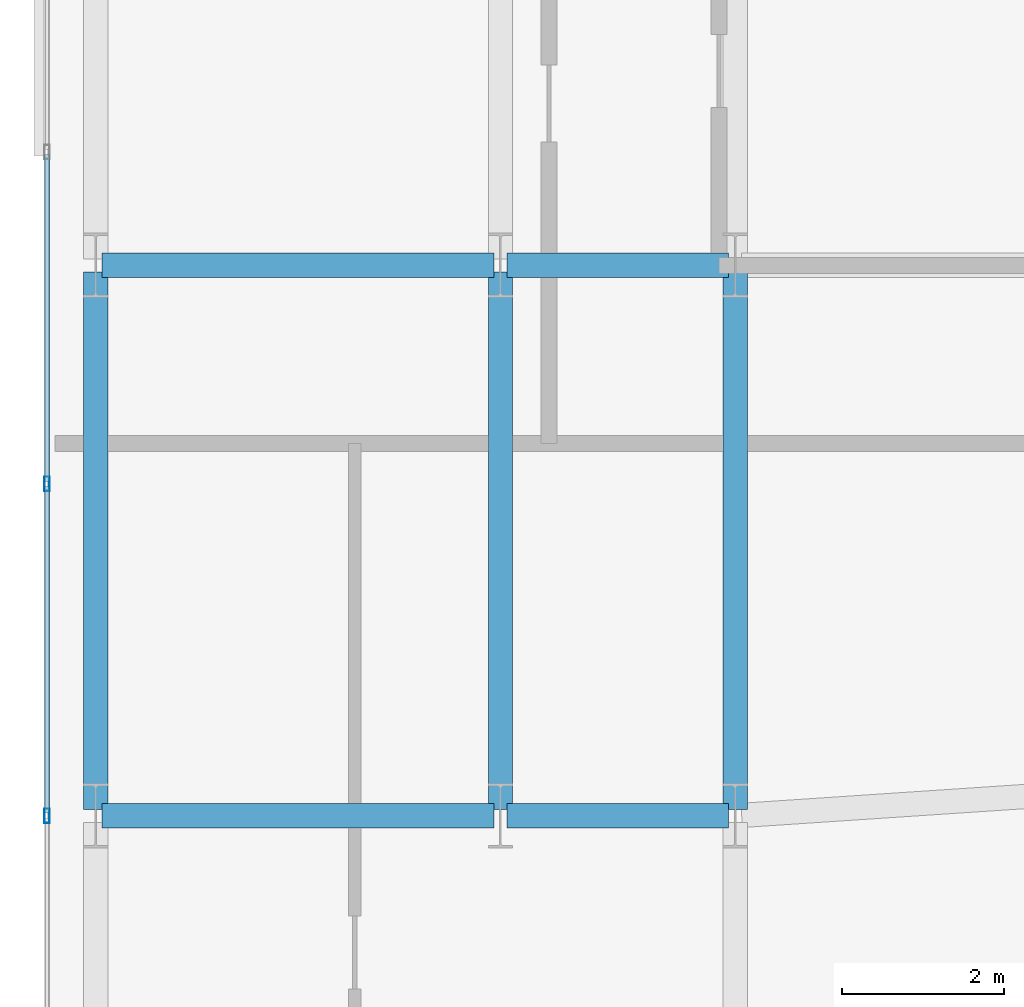
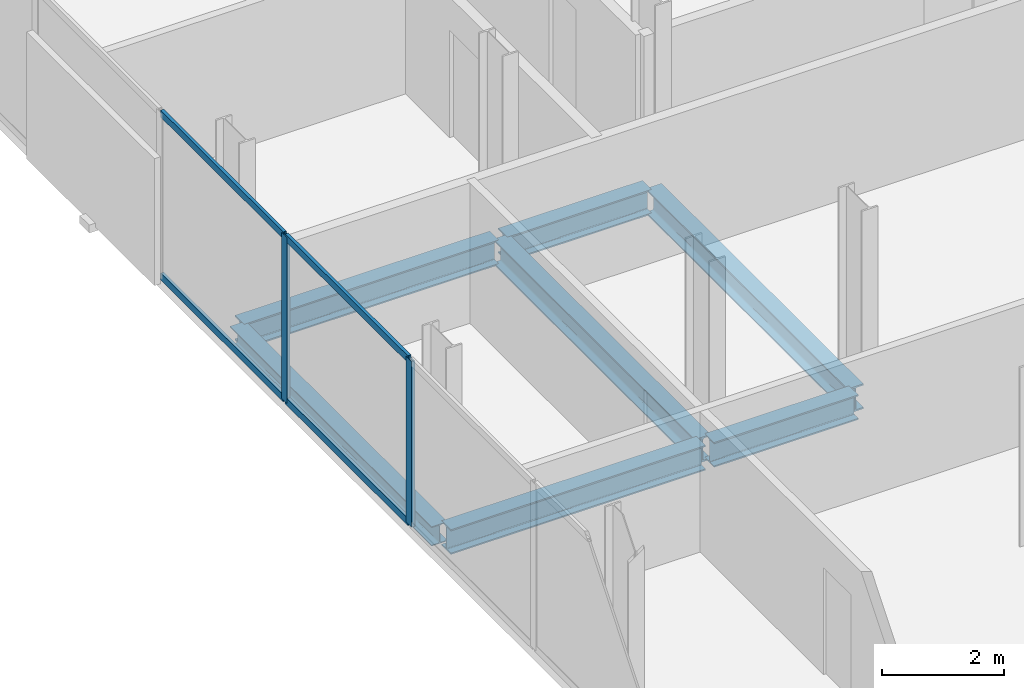
# One storey, part 11 of 33: 7 beams, 6 members, 1 element without a shape of its own.
"""IFC4 building model written with IfcOpenShell, lengths in metres."""

from ifc_helpers import new_model, si_unit, direction, frame, origin, origin_2d, place, context, subcontext, project, spatial, hollow_rectangle, i_section, extrude, material, layer, layer_set, material_profile, profile_set, type_object, element, aggregate, save


model = new_model("IFC4")

# Units and contexts
model_context = context("Model", 3, precision=1e-05, world=origin(), true_north=direction((0.0, 1.0)))
body_context = subcontext(model_context, "Body", "Model", "MODEL_VIEW")
ifc_project = project(units=[si_unit("LENGTHUNIT", "METRE"), si_unit("AREAUNIT", "SQUARE_METRE"), si_unit("VOLUMEUNIT", "CUBIC_METRE"), si_unit("PLANEANGLEUNIT", "RADIAN"), si_unit("MASSUNIT", "GRAM", prefix="KILO")], contexts=[model_context])

# Site, building, storey
site_placement = place(None, origin())
site = spatial("IfcSite", under=ifc_project, at=site_placement, CompositionType="ELEMENT")
building_placement = place(site_placement, origin())
building = spatial("IfcBuilding", under=site, at=building_placement, Name="Catumbela Crestline Tower", CompositionType="ELEMENT")
storey_placement = place(building_placement, frame((0.0, 0.0, 54.6)))
storey = spatial("IfcBuildingStorey", under=building, at=storey_placement, Name="L13", CompositionType="ELEMENT", Elevation=54.6)

# Beams
ifc_material_1 = material(Name="Structural steel S355J2", Category="steel")
ifc_material_profile_1 = material_profile(ifc_material_1, i_section(OverallWidth=0.3, OverallDepth=0.5, WebThickness=0.0145, FlangeThickness=0.028, FilletRadius=0.027, at=origin_2d()), Name="HEB 500")
ifc_profile_set_1 = profile_set([ifc_material_profile_1], Name="Structural steel S355J2")
beam_type_1 = type_object("IfcBeamType", Name="BG-HEB500", PredefinedType="BEAM", material=ifc_profile_set_1)
beam_1_placement = place(storey_placement, frame((0.68, 24.0, -0.51), z_axis=(1.0, 0.0, 0.0), x_axis=(0.0, 1.0, 0.0)))
element("IfcBeam", 1, at=beam_1_placement, inside=storey, type_object=beam_type_1, Name="L13 Beam BM-L13-S01", PredefinedType="BEAM", context=body_context, shape_type="SweptSolid", body=[
    extrude(i_section(OverallWidth=0.3, OverallDepth=0.5, WebThickness=0.0145, FlangeThickness=0.028, FilletRadius=0.027, at=origin_2d()), origin(), (0.0, 0.0, 1.0), 4.84),
])
beam_2_placement = place(storey_placement, frame((5.68, 24.0, -0.51), z_axis=(1.0, 0.0, 0.0), x_axis=(0.0, 1.0, 0.0)))
element("IfcBeam", 2, at=beam_2_placement, inside=storey, type_object=beam_type_1, Name="L13 Beam BM-L13-S02", PredefinedType="BEAM", context=body_context, shape_type="SweptSolid", body=[
    extrude(i_section(OverallWidth=0.3, OverallDepth=0.5, WebThickness=0.0145, FlangeThickness=0.028, FilletRadius=0.027, at=origin_2d()), origin(), (0.0, 0.0, 1.0), 2.74),
])
beam_3_placement = place(storey_placement, frame((0.68, 30.8, -0.51), z_axis=(1.0, 0.0, 0.0), x_axis=(0.0, 1.0, 0.0)))
element("IfcBeam", 3, at=beam_3_placement, inside=storey, type_object=beam_type_1, Name="L13 Beam BM-L13-M07", PredefinedType="BEAM", context=body_context, shape_type="SweptSolid", body=[
    extrude(i_section(OverallWidth=0.3, OverallDepth=0.5, WebThickness=0.0145, FlangeThickness=0.028, FilletRadius=0.027, at=origin_2d()), origin(), (0.0, 0.0, 1.0), 4.84),
])
beam_4_placement = place(storey_placement, frame((5.68, 30.8, -0.51), z_axis=(1.0, 0.0, 0.0), x_axis=(0.0, 1.0, 0.0)))
element("IfcBeam", 4, at=beam_4_placement, inside=storey, type_object=beam_type_1, Name="L13 Beam BM-L13-M08", PredefinedType="BEAM", context=body_context, shape_type="SweptSolid", body=[
    extrude(i_section(OverallWidth=0.3, OverallDepth=0.5, WebThickness=0.0145, FlangeThickness=0.028, FilletRadius=0.027, at=origin_2d()), origin(), (0.0, 0.0, 1.0), 2.74),
])
for number, where, z_axis, x_axis, name in (
    (5, (5.6, 24.08, -0.51), (0.0, 1.0, 0.0), (-1.0, 0.0, 0.0), "L13 Beam BM-L13-SN27"),
    (6, (8.5, 24.08, -0.51), (0.0, 1.0, 0.0), (-1.0, 0.0, 0.0), "L13 Beam BM-L13-SN29"),
):
    element("IfcBeam", number, at=place(storey_placement, frame(where, z_axis=z_axis, x_axis=x_axis)), inside=storey, type_object=beam_type_1, Name=name, PredefinedType="BEAM", context=body_context, shape_type="SweptSolid", body=[
        extrude(i_section(OverallWidth=0.3, OverallDepth=0.5, WebThickness=0.0145, FlangeThickness=0.028, FilletRadius=0.027, at=origin_2d()), origin(), (0.0, 0.0, 1.0), 6.64),
    ])

# Curtain wall, members
ifc_material_2 = material(Name="Aluminium alloy AW-6060-T66", Category="aluminium")
ifc_layer = layer(ifc_material_2, 0.18, Name="Aluminium alloy AW-6060-T66")
ifc_layer_set = layer_set([ifc_layer], Name="Aluminium alloy AW-6060-T66")
curtain_wall_type = type_object("IfcCurtainWallType", Name="CWU-Z1", PredefinedType="USERDEFINED", material=ifc_layer_set)
curtain_wall_placement = place(storey_placement, origin())
curtain_wall = element("IfcCurtainWall", 7, at=curtain_wall_placement, inside=storey, type_object=curtain_wall_type, Name="L13 Unitised Curtain Wall CW-L13-E9S1", ObjectType="UNITISED", PredefinedType="USERDEFINED")
ifc_material_profile_2 = material_profile(ifc_material_2, hollow_rectangle(XDim=0.065, YDim=0.18, WallThickness=0.004, at=origin_2d()), Name="ALU 180x65x4")
ifc_profile_set_2 = profile_set([ifc_material_profile_2], Name="Aluminium alloy AW-6060-T66")
member_type_1 = type_object("IfcMemberType", Name="MUL-180X65", PredefinedType="MULLION", material=ifc_profile_set_2)
member_1_placement = place(storey_placement, frame((0.0, 28.1, 0.0), z_axis=(0.0, 0.0, 1.0), x_axis=(1.0, 0.0, 0.0)))
member_1 = element("IfcMember", 8, at=member_1_placement, type_object=member_type_1, Name="CWU-Z1 mullion 5", PredefinedType="MULLION", context=body_context, shape_type="SweptSolid", body=[
    extrude(hollow_rectangle(XDim=0.065, YDim=0.18, WallThickness=0.004, at=origin_2d()), origin(), (0.0, 0.0, 1.0), 3.33),
])
member_2_placement = place(storey_placement, frame((0.0, 24.0, 0.0), z_axis=(0.0, 0.0, 1.0), x_axis=(1.0, 0.0, 0.0)))
member_2 = element("IfcMember", 9, at=member_2_placement, type_object=member_type_1, Name="CWU-Z1 mullion 6", PredefinedType="MULLION", context=body_context, shape_type="SweptSolid", body=[
    extrude(hollow_rectangle(XDim=0.065, YDim=0.18, WallThickness=0.004, at=origin_2d()), origin(), (0.0, 0.0, 1.0), 3.33),
])

# Beam
ifc_material_profile_3 = material_profile(ifc_material_1, i_section(OverallWidth=0.3, OverallDepth=0.39, WebThickness=0.011, FlangeThickness=0.019, FilletRadius=0.027, at=origin_2d()), Name="HEA 400")
ifc_profile_set_3 = profile_set([ifc_material_profile_3], Name="Structural steel S355J2")
beam_type_2 = type_object("IfcBeamType", Name="BS-HEA400", PredefinedType="SPANDREL", material=ifc_profile_set_3)
beam_5_placement = place(storey_placement, frame((0.6, 24.08, -0.455), z_axis=(0.0, 1.0, 0.0), x_axis=(-1.0, 0.0, 0.0)))
element("IfcBeam", 10, at=beam_5_placement, inside=storey, type_object=beam_type_2, Name="L13 Spandrel SP-L13-SN25", PredefinedType="SPANDREL", context=body_context, shape_type="SweptSolid", body=[
    extrude(i_section(OverallWidth=0.3, OverallDepth=0.39, WebThickness=0.011, FlangeThickness=0.019, FilletRadius=0.027, at=origin_2d()), origin(), (0.0, 0.0, 1.0), 6.64),
])

# Member
ifc_material_profile_4 = material_profile(ifc_material_2, hollow_rectangle(XDim=0.06, YDim=0.14, WallThickness=0.004, at=origin_2d()), Name="ALU 140x60x4")
ifc_profile_set_4 = profile_set([ifc_material_profile_4], Name="Aluminium alloy AW-6060-T66")
member_type_2 = type_object("IfcMemberType", Name="TRN-140X60", PredefinedType="USERDEFINED", material=ifc_profile_set_4)
member_3_placement = place(storey_placement, frame((0.0, 32.1675, 0.03), z_axis=(0.0, -1.0, 0.0), x_axis=(1.0, 0.0, 0.0)))
member_3 = element("IfcMember", 11, at=member_3_placement, type_object=member_type_2, Name="CWU-Z1 transom 4.1", ObjectType="TRANSOM", PredefinedType="USERDEFINED", context=body_context, shape_type="SweptSolid", body=[
    extrude(hollow_rectangle(XDim=0.06, YDim=0.14, WallThickness=0.004, at=origin_2d()), origin(), (0.0, 0.0, 1.0), 4.035),
])

member_4_placement = place(storey_placement, frame((0.0, 32.1675, 3.3), z_axis=(0.0, -1.0, 0.0), x_axis=(1.0, 0.0, 0.0)))
member_4 = element("IfcMember", 12, at=member_4_placement, type_object=member_type_2, Name="CWU-Z1 transom 4.2", ObjectType="TRANSOM", PredefinedType="USERDEFINED", context=body_context, shape_type="SweptSolid", body=[
    extrude(hollow_rectangle(XDim=0.06, YDim=0.14, WallThickness=0.004, at=origin_2d()), origin(), (0.0, 0.0, 1.0), 4.035),
])

member_5_placement = place(storey_placement, frame((0.0, 28.0675, 0.03), z_axis=(0.0, -1.0, 0.0), x_axis=(1.0, 0.0, 0.0)))
member_5 = element("IfcMember", 13, at=member_5_placement, type_object=member_type_2, Name="CWU-Z1 transom 5.1", ObjectType="TRANSOM", PredefinedType="USERDEFINED", context=body_context, shape_type="SweptSolid", body=[
    extrude(hollow_rectangle(XDim=0.06, YDim=0.14, WallThickness=0.004, at=origin_2d()), origin(), (0.0, 0.0, 1.0), 4.035),
])

member_6_placement = place(storey_placement, frame((0.0, 28.0675, 3.3), z_axis=(0.0, -1.0, 0.0), x_axis=(1.0, 0.0, 0.0)))
member_6 = element("IfcMember", 14, at=member_6_placement, type_object=member_type_2, Name="CWU-Z1 transom 5.2", ObjectType="TRANSOM", PredefinedType="USERDEFINED", context=body_context, shape_type="SweptSolid", body=[
    extrude(hollow_rectangle(XDim=0.06, YDim=0.14, WallThickness=0.004, at=origin_2d()), origin(), (0.0, 0.0, 1.0), 4.035),
])

aggregate(curtain_wall, [member_1, member_2, member_3, member_4, member_5, member_6])

save(model, "model.ifc")
